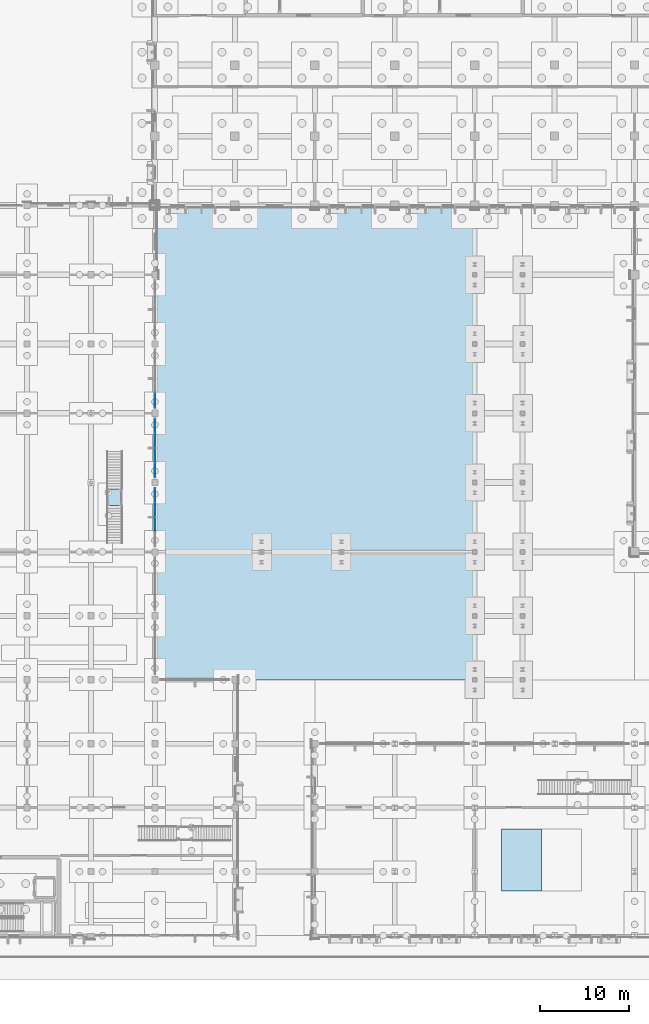
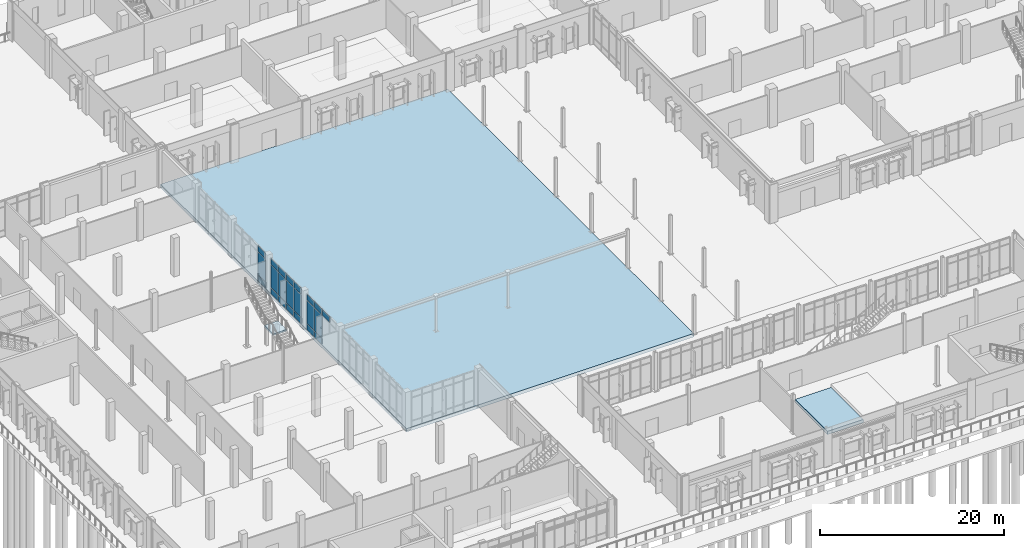
# One storey, part 51 of 94: 22 plates, 3 slabs, 6 elements without a shape of their own.
"""IFC4 building model written with IfcOpenShell, lengths in metres."""

import ifcopenshell
import ifcopenshell.guid

model = None  # the IFC model being written
_history = None  # IfcOwnerHistory: only IFC2X3 demands one
_inside = {}  # id of a spatial element -> (the spatial element, [elements in it])
_under = {}  # id of a project, library or spatial element -> (it, [spatial elements below it])
_declared = {}  # id of a project -> (the project, [libraries it declares])
_typed = {}  # id of a type object -> (the type object, [elements of that type])
_made_of = {}  # id of a material, layer set ... -> (it, [elements and type objects made of it])


def new_model(schema):
    """Start an empty IFC model of exactly this schema.

    Asked for "IFC4X3", IfcOpenShell would pick the latest addendum, in which some entities
    have other attributes; the version numbers below select the first issue.
    IFC2X3 requires an IfcOwnerHistory on every rooted entity: one is made here for all.
    """
    global model, _history
    if schema == "IFC4X3":
        model = ifcopenshell.file(schema_version=(4, 3, 0, 0))
    else:
        model = ifcopenshell.file(schema=schema)
    _inside.clear()
    _under.clear()
    _declared.clear()
    _typed.clear()
    _made_of.clear()
    _history = None
    if model.schema == "IFC2X3":
        org = make("IfcOrganization", Name="unknown")
        user = make(
            "IfcPersonAndOrganization",
            ThePerson=make("IfcPerson", FamilyName="unknown"),
            TheOrganization=org,
        )
        app = make(
            "IfcApplication",
            ApplicationDeveloper=org,
            Version="unknown",
            ApplicationFullName="unknown",
            ApplicationIdentifier="unknown",
        )
        _history = make(
            "IfcOwnerHistory",
            OwningUser=user,
            OwningApplication=app,
            ChangeAction="ADDED",
            CreationDate=0,
        )
    return model


def make(cls, **values):
    """One entity of the class cls with the attributes given. An attribute that is None is left unset."""
    return model.create_entity(
        cls, **{name: value for name, value in values.items() if value is not None}
    )


def rooted(cls, **values):
    """An entity with a GlobalId (a new one), such as an element, a storey or a relation."""
    return make(cls, GlobalId=ifcopenshell.guid.new(), OwnerHistory=_history, **values)


def si_unit(unit_type, name, prefix=None):
    """IfcSIUnit, for example si_unit("LENGTHUNIT", "METRE", prefix="MILLI")."""
    return make("IfcSIUnit", UnitType=unit_type, Prefix=prefix, Name=name)


def assignment(units):
    """IfcUnitAssignment: the units of a project."""
    return None if units is None else make("IfcUnitAssignment", Units=units)


def point(xyz):
    """IfcCartesianPoint."""
    return None if xyz is None else make("IfcCartesianPoint", Coordinates=xyz)


def direction(xyz):
    """IfcDirection."""
    return None if xyz is None else make("IfcDirection", DirectionRatios=xyz)


def frame(location, z_axis=None, x_axis=None):
    """IfcAxis2Placement3D, a coordinate frame: its origin and axes. An axis left out is left unset."""
    return make(
        "IfcAxis2Placement3D",
        Location=point(location),
        Axis=direction(z_axis),
        RefDirection=direction(x_axis),
    )


def frame_2d(location, x_axis=None):
    """IfcAxis2Placement2D, a coordinate frame in the plane: its origin and x axis."""
    return make(
        "IfcAxis2Placement2D", Location=point(location), RefDirection=direction(x_axis)
    )


def origin():
    """The frame at (0, 0, 0) with its axes left unset."""
    return frame((0.0, 0.0, 0.0))


def origin_2d():
    """The frame at (0, 0) in the plane with its x axis left unset."""
    return frame_2d((0.0, 0.0))


def place(relative_to, where):
    """IfcLocalPlacement: puts the frame where relative to a parent placement (None: the world)."""
    return make(
        "IfcLocalPlacement", PlacementRelTo=relative_to, RelativePlacement=where
    )


def context(
    kind, dimensions, precision=None, world=None, true_north=None, identifier=None
):
    """IfcGeometricRepresentationContext, for example the 3D "Model" context."""
    return make(
        "IfcGeometricRepresentationContext",
        ContextIdentifier=identifier,
        ContextType=kind,
        CoordinateSpaceDimension=dimensions,
        Precision=precision,
        WorldCoordinateSystem=world,
        TrueNorth=true_north,
    )


def subcontext(parent, identifier, kind, view, scale=None):
    """IfcGeometricRepresentationSubContext, for example "Body" below "Model"."""
    return make(
        "IfcGeometricRepresentationSubContext",
        ContextIdentifier=identifier,
        ContextType=kind,
        ParentContext=parent,
        TargetScale=scale,
        TargetView=view,
    )


def project(units=None, contexts=None):
    """IfcProject with its units and contexts."""
    return rooted(
        "IfcProject",
        Name="project",
        RepresentationContexts=contexts,
        UnitsInContext=assignment(units),
    )


def spatial(cls, under=None, at=None, **own):
    """A site, building, storey or space (cls), placed at a placement, below another one or the project."""
    s = rooted(cls, ObjectPlacement=at, **own)
    if under is not None:
        _under.setdefault(under.id(), (under, []))[1].append(s)
    return s


def polyline(points):
    """IfcPolyline through the points."""
    return make("IfcPolyline", Points=[point(p) for p in points])


def profile(cls, at=None, kind="AREA", **sizes):
    """A parametric profile (cls). Its sizes go by their IFC names, for example OverallWidth=200.0."""
    return make(cls, ProfileType=kind, Position=at, **sizes)


def rectangle(**sizes):
    """IfcRectangleProfileDef."""
    return profile("IfcRectangleProfileDef", **sizes)


def outline(outer, holes=None, kind="AREA"):
    """IfcArbitraryClosedProfileDef: a profile drawn as a closed curve; with holes, ...WithVoids."""
    if holes is None:
        return make("IfcArbitraryClosedProfileDef", ProfileType=kind, OuterCurve=outer)
    return make(
        "IfcArbitraryProfileDefWithVoids",
        ProfileType=kind,
        OuterCurve=outer,
        InnerCurves=holes,
    )


def extrude(swept, where, along, depth):
    """IfcExtrudedAreaSolid: the profile swept, set in the frame where, extruded along a direction by depth."""
    return make(
        "IfcExtrudedAreaSolid",
        SweptArea=swept,
        Position=where,
        ExtrudedDirection=direction(along),
        Depth=depth,
    )


def shape(context_of_items, identifier, shape_type, items):
    """IfcShapeRepresentation: the items that make up one representation, for example the "Body"."""
    return make(
        "IfcShapeRepresentation",
        ContextOfItems=context_of_items,
        RepresentationIdentifier=identifier,
        RepresentationType=shape_type,
        Items=items,
    )


def material(Name=None, Category=None):
    """IfcMaterial."""
    return make("IfcMaterial", Name=Name, Category=Category)


def layer(
    of_material, thickness, ventilated=None, Name=None, Category=None, Priority=None
):
    """IfcMaterialLayer: one layer of a wall or slab, of a material (None: an air gap)."""
    return make(
        "IfcMaterialLayer",
        Material=of_material,
        LayerThickness=thickness,
        IsVentilated=ventilated,
        Name=Name,
        Category=Category,
        Priority=Priority,
    )


def layer_set(layers, Name=None):
    """IfcMaterialLayerSet."""
    return make("IfcMaterialLayerSet", MaterialLayers=layers, LayerSetName=Name)


def made_of(thing, what):
    """Note that an element or type object is made of a material, layer set ...; save() writes the relation."""
    if what is not None:
        _made_of.setdefault(what.id(), (what, []))[1].append(thing)
    return thing


def type_object(cls, material=None, **own):
    """A type object (cls), such as IfcWallType, which elements share."""
    return made_of(rooted(cls, **own), material)


def element(
    cls,
    number,
    at=None,
    inside=None,
    cuts=None,
    type_object=None,
    material=None,
    context=None,
    identifier="Body",
    shape_type=None,
    held_by="IfcProductDefinitionShape",
    body=None,
    shapes=None,
    **own,
):
    """One element of the class cls, such as IfcWall. Its Tag is "e" and its number.

    at: its placement. inside: the storey or other place that contains it. cuts: it is an
    opening in that element (IfcRelVoidsElement). A single representation is given by context,
    identifier, shape_type and body (its items); several are given by shapes. held_by: the class
    of the entity that holds the representations. save() writes the other relations.
    """
    e = rooted(cls, Tag="e%d" % number, ObjectPlacement=at, **own)
    if body is not None:
        shapes = [shape(context, identifier, shape_type, body)]
    if shapes is not None:
        e.Representation = make(held_by, Representations=shapes)
    if inside is not None:
        _inside.setdefault(inside.id(), (inside, []))[1].append(e)
    if cuts is not None:
        rooted(
            "IfcRelVoidsElement", RelatingBuildingElement=cuts, RelatedOpeningElement=e
        )
    if type_object is not None:
        _typed.setdefault(type_object.id(), (type_object, []))[1].append(e)
    return made_of(e, material)


def aggregate(whole, parts):
    """IfcRelAggregates: a whole, such as a stair, and the parts it consists of."""
    return rooted("IfcRelAggregates", RelatingObject=whole, RelatedObjects=parts)


def save(model, path):
    """Write the relations noted so far, then the file.

    IfcRelAggregates (storeys below a building ...), IfcRelContainedInSpatialStructure (elements
    in a storey), IfcRelDefinesByType, IfcRelAssociatesMaterial and IfcRelDeclares: one each for
    every whole, place, type object, material and project.
    """
    for whole, parts in _under.values():
        aggregate(whole, parts)
    for where, things in _inside.values():
        rooted(
            "IfcRelContainedInSpatialStructure",
            RelatedElements=things,
            RelatingStructure=where,
        )
    for kind, things in _typed.values():
        rooted("IfcRelDefinesByType", RelatedObjects=things, RelatingType=kind)
    for what, things in _made_of.values():
        rooted("IfcRelAssociatesMaterial", RelatedObjects=things, RelatingMaterial=what)
    for by, libraries in _declared.values():
        rooted("IfcRelDeclares", RelatingContext=by, RelatedDefinitions=libraries)
    model.write(path)


model = new_model("IFC4")

# Units and contexts
model_context = context("Model", 3, precision=1e-05, world=origin(), true_north=direction((0.0, 1.0)))
body_context = subcontext(model_context, "Body", "Model", "MODEL_VIEW")
ifc_project = project(units=[si_unit("LENGTHUNIT", "METRE"), si_unit("AREAUNIT", "SQUARE_METRE"), si_unit("VOLUMEUNIT", "CUBIC_METRE"), si_unit("PLANEANGLEUNIT", "RADIAN"), si_unit("MASSUNIT", "GRAM", prefix="KILO")], contexts=[model_context])

# Site, building, storey
site_placement = place(None, origin())
site = spatial("IfcSite", under=ifc_project, at=site_placement, CompositionType="ELEMENT")
building_placement = place(site_placement, origin())
building = spatial("IfcBuilding", under=site, at=building_placement, Name="Vervanel Yard Central Library", CompositionType="ELEMENT")
storey_placement = place(building_placement, origin())
storey = spatial("IfcBuildingStorey", under=building, at=storey_placement, Name="L00", CompositionType="ELEMENT", Elevation=0.0)

# Curtain wall, plate
ifc_material_1 = material(Name="Thermally broken anodized aluminium 6063-T6", Category="aluminium")
curtain_wall_type = type_object("IfcCurtainWallType", Name="Atrium Courtyard Curtain Wall", PredefinedType="NOTDEFINED", material=ifc_material_1)
curtain_wall_1_placement = place(storey_placement, origin())
curtain_wall_1 = element("IfcCurtainWall", 1, at=curtain_wall_1_placement, inside=storey, type_object=curtain_wall_type, Name="L00 Atrium Courtyard Curtain Wall CWR-L00-019", PredefinedType="NOTDEFINED")
ifc_material_2 = material(Name="Double low-E laminated solar-control glass", Category="glass")
ifc_layer_1 = layer(ifc_material_2, 0.030029296875, Category="glass")
ifc_layer_set_1 = layer_set([ifc_layer_1], Name="Double low-E laminated solar-control glass")
plate_type_1 = type_object("IfcPlateType", Name="Courtyard Clear Low-E Panel 30", PredefinedType="CURTAIN_PANEL", material=ifc_layer_set_1)
plate_1_placement = place(storey_placement, frame((36.0, 46.248779296875, 3.962646484375), z_axis=(0.0, 0.0, 1.0), x_axis=(0.0, 1.0, 0.0)))
plate_1 = element("IfcPlate", 2, at=plate_1_placement, type_object=plate_type_1, Name="CWR-L00-019 Panel B2-3", PredefinedType="CURTAIN_PANEL", context=body_context, shape_type="SweptSolid", body=[
    extrude(rectangle(XDim=1.572509765625, YDim=0.030029296875, at=origin_2d()), origin(), (0.0, 0.0, 1.0), 0.75244140625),
])
aggregate(curtain_wall_1, [plate_1])

# Curtain wall, plates
curtain_wall_2_placement = place(storey_placement, origin())
curtain_wall_2 = element("IfcCurtainWall", 3, at=curtain_wall_2_placement, inside=storey, type_object=curtain_wall_type, Name="L00 Atrium Courtyard Curtain Wall CWR-L00-020", PredefinedType="NOTDEFINED")
plate_2_placement = place(storey_placement, frame((36.0, 47.951171875, 0.88232421875), z_axis=(0.0, 0.0, 1.0), x_axis=(0.0, 1.0, 0.0)))
plate_2 = element("IfcPlate", 4, at=plate_2_placement, type_object=plate_type_1, Name="CWR-L00-020 Panel B1-2", PredefinedType="CURTAIN_PANEL", context=body_context, shape_type="SweptSolid", body=[
    extrude(rectangle(XDim=1.572509765625, YDim=0.030029296875, at=origin_2d()), origin(), (0.0, 0.0, 1.0), 3.014892578125),
])
plate_3_placement = place(storey_placement, frame((36.0, 47.951171875, 3.962646484375), z_axis=(0.0, 0.0, 1.0), x_axis=(0.0, 1.0, 0.0)))
plate_3 = element("IfcPlate", 5, at=plate_3_placement, type_object=plate_type_1, Name="CWR-L00-020 Panel B1-3", PredefinedType="CURTAIN_PANEL", context=body_context, shape_type="SweptSolid", body=[
    extrude(rectangle(XDim=1.572509765625, YDim=0.030029296875, at=origin_2d()), origin(), (0.0, 0.0, 1.0), 0.75244140625),
])
plate_4_placement = place(storey_placement, frame((36.0, 49.5888671875, 0.88232421875), z_axis=(0.0, 0.0, 1.0), x_axis=(0.0, 1.0, 0.0)))
plate_4 = element("IfcPlate", 6, at=plate_4_placement, type_object=plate_type_1, Name="CWR-L00-020 Panel B2-2", PredefinedType="CURTAIN_PANEL", context=body_context, shape_type="SweptSolid", body=[
    extrude(rectangle(XDim=1.572509765625, YDim=0.030029296875, at=origin_2d()), origin(), (0.0, 0.0, 1.0), 3.014892578125),
])
plate_5_placement = place(storey_placement, frame((36.0, 49.5888671875, 3.962646484375), z_axis=(0.0, 0.0, 1.0), x_axis=(0.0, 1.0, 0.0)))
plate_5 = element("IfcPlate", 7, at=plate_5_placement, type_object=plate_type_1, Name="CWR-L00-020 Panel B2-3", PredefinedType="CURTAIN_PANEL", context=body_context, shape_type="SweptSolid", body=[
    extrude(rectangle(XDim=1.572509765625, YDim=0.030029296875, at=origin_2d()), origin(), (0.0, 0.0, 1.0), 0.75244140625),
])

curtain_wall_3_placement = place(storey_placement, origin())
curtain_wall_3 = element("IfcCurtainWall", 8, at=curtain_wall_3_placement, inside=storey, type_object=curtain_wall_type, Name="L00 Atrium Courtyard Curtain Wall CWR-L00-021", PredefinedType="NOTDEFINED")
plate_6_placement = place(storey_placement, frame((36.0, 52.4111328125, 0.88232421875), z_axis=(0.0, 0.0, 1.0), x_axis=(0.0, 1.0, 0.0)))
plate_6 = element("IfcPlate", 9, at=plate_6_placement, type_object=plate_type_1, Name="CWR-L00-021 Panel B1-2", PredefinedType="CURTAIN_PANEL", context=body_context, shape_type="SweptSolid", body=[
    extrude(rectangle(XDim=1.572509765625, YDim=0.030029296875, at=origin_2d()), origin(), (0.0, 0.0, 1.0), 3.014892578125),
])
plate_7_placement = place(storey_placement, frame((36.0, 52.4111328125, 3.962646484375), z_axis=(0.0, 0.0, 1.0), x_axis=(0.0, 1.0, 0.0)))
plate_7 = element("IfcPlate", 10, at=plate_7_placement, type_object=plate_type_1, Name="CWR-L00-021 Panel B1-3", PredefinedType="CURTAIN_PANEL", context=body_context, shape_type="SweptSolid", body=[
    extrude(rectangle(XDim=1.572509765625, YDim=0.030029296875, at=origin_2d()), origin(), (0.0, 0.0, 1.0), 0.75244140625),
])
plate_8_placement = place(storey_placement, frame((36.0, 54.048828125, 0.88232421875), z_axis=(0.0, 0.0, 1.0), x_axis=(0.0, 1.0, 0.0)))
plate_8 = element("IfcPlate", 11, at=plate_8_placement, type_object=plate_type_1, Name="CWR-L00-021 Panel B2-2", PredefinedType="CURTAIN_PANEL", context=body_context, shape_type="SweptSolid", body=[
    extrude(rectangle(XDim=1.572509765625, YDim=0.030029296875, at=origin_2d()), origin(), (0.0, 0.0, 1.0), 3.014892578125),
])
plate_9_placement = place(storey_placement, frame((36.0, 54.048828125, 3.962646484375), z_axis=(0.0, 0.0, 1.0), x_axis=(0.0, 1.0, 0.0)))
plate_9 = element("IfcPlate", 12, at=plate_9_placement, type_object=plate_type_1, Name="CWR-L00-021 Panel B2-3", PredefinedType="CURTAIN_PANEL", context=body_context, shape_type="SweptSolid", body=[
    extrude(rectangle(XDim=1.572509765625, YDim=0.030029296875, at=origin_2d()), origin(), (0.0, 0.0, 1.0), 0.75244140625),
])

curtain_wall_4_placement = place(storey_placement, origin())
curtain_wall_4 = element("IfcCurtainWall", 13, at=curtain_wall_4_placement, inside=storey, type_object=curtain_wall_type, Name="L00 Atrium Courtyard Curtain Wall CWR-L00-022", PredefinedType="NOTDEFINED")
plate_10_placement = place(storey_placement, frame((36.0, 55.751220703125, 0.88232421875), z_axis=(0.0, 0.0, 1.0), x_axis=(0.0, 1.0, 0.0)))
plate_10 = element("IfcPlate", 14, at=plate_10_placement, type_object=plate_type_1, Name="CWR-L00-022 Panel B1-2", PredefinedType="CURTAIN_PANEL", context=body_context, shape_type="SweptSolid", body=[
    extrude(rectangle(XDim=1.572509765625, YDim=0.030029296875, at=origin_2d()), origin(), (0.0, 0.0, 1.0), 3.014892578125),
])
plate_11_placement = place(storey_placement, frame((36.0, 55.751220703125, 3.962646484375), z_axis=(0.0, 0.0, 1.0), x_axis=(0.0, 1.0, 0.0)))
plate_11 = element("IfcPlate", 15, at=plate_11_placement, type_object=plate_type_1, Name="CWR-L00-022 Panel B1-3", PredefinedType="CURTAIN_PANEL", context=body_context, shape_type="SweptSolid", body=[
    extrude(rectangle(XDim=1.572509765625, YDim=0.030029296875, at=origin_2d()), origin(), (0.0, 0.0, 1.0), 0.75244140625),
])
plate_12_placement = place(storey_placement, frame((36.0, 57.388671875, 0.88232421875), z_axis=(0.0, 0.0, 1.0), x_axis=(0.0, 1.0, 0.0)))
plate_12 = element("IfcPlate", 16, at=plate_12_placement, type_object=plate_type_1, Name="CWR-L00-022 Panel B2-2", PredefinedType="CURTAIN_PANEL", context=body_context, shape_type="SweptSolid", body=[
    extrude(rectangle(XDim=1.572509765625, YDim=0.030029296875, at=origin_2d()), origin(), (0.0, 0.0, 1.0), 3.014892578125),
])
plate_13_placement = place(storey_placement, frame((36.0, 57.388671875, 3.962646484375), z_axis=(0.0, 0.0, 1.0), x_axis=(0.0, 1.0, 0.0)))
plate_13 = element("IfcPlate", 17, at=plate_13_placement, type_object=plate_type_1, Name="CWR-L00-022 Panel B2-3", PredefinedType="CURTAIN_PANEL", context=body_context, shape_type="SweptSolid", body=[
    extrude(rectangle(XDim=1.572509765625, YDim=0.030029296875, at=origin_2d()), origin(), (0.0, 0.0, 1.0), 0.75244140625),
])

curtain_wall_5_placement = place(storey_placement, origin())
curtain_wall_5 = element("IfcCurtainWall", 18, at=curtain_wall_5_placement, inside=storey, type_object=curtain_wall_type, Name="L00 Atrium Courtyard Curtain Wall CWR-L00-023", PredefinedType="NOTDEFINED")
plate_14_placement = place(storey_placement, frame((36.0, 60.211181640625, 0.88232421875), z_axis=(0.0, 0.0, 1.0), x_axis=(0.0, 1.0, 0.0)))
plate_14 = element("IfcPlate", 19, at=plate_14_placement, type_object=plate_type_1, Name="CWR-L00-023 Panel B1-2", PredefinedType="CURTAIN_PANEL", context=body_context, shape_type="SweptSolid", body=[
    extrude(rectangle(XDim=1.572509765625, YDim=0.030029296875, at=origin_2d()), origin(), (0.0, 0.0, 1.0), 3.014892578125),
])
plate_15_placement = place(storey_placement, frame((36.0, 60.211181640625, 3.962646484375), z_axis=(0.0, 0.0, 1.0), x_axis=(0.0, 1.0, 0.0)))
plate_15 = element("IfcPlate", 20, at=plate_15_placement, type_object=plate_type_1, Name="CWR-L00-023 Panel B1-3", PredefinedType="CURTAIN_PANEL", context=body_context, shape_type="SweptSolid", body=[
    extrude(rectangle(XDim=1.572509765625, YDim=0.030029296875, at=origin_2d()), origin(), (0.0, 0.0, 1.0), 0.75244140625),
])

# Stair, slab
ifc_material_3 = material(Name="Concrete C45/55", Category="concrete")
stair_type = type_object("IfcStairType", Name="Architectural Feature Straight Stair FS-ST-05", PredefinedType="STRAIGHT_RUN_STAIR", material=ifc_material_3)
stair_placement = place(storey_placement, origin())
stair = element("IfcStair", 21, at=stair_placement, inside=storey, type_object=stair_type, Name="L00 Feature Stair FS-ST-05", PredefinedType="STRAIGHT_RUN_STAIR")
ifc_layer_2 = layer(ifc_material_3, 0.219970703125, Category="concrete")
ifc_layer_set_2 = layer_set([ifc_layer_2], Name="Concrete C45/55")
slab_type_1 = type_object("IfcSlabType", Name="Feature Stair Concrete Landing Slab 220", PredefinedType="LANDING", material=ifc_layer_set_2)
slab_1_placement = place(storey_placement, frame((0.0, 0.0, 2.330078125)))
slab_1 = element("IfcSlab", 22, at=slab_1_placement, type_object=slab_type_1, Name="FST-05-L00 Mid Landing 1", PredefinedType="LANDING", context=body_context, shape_type="SweptSolid", body=[
    extrude(outline(polyline([(30.590087890625, 48.39990234375), (32.31005859375, 48.39990234375), (32.31005859375, 50.300048828125), (30.590087890625, 50.300048828125), (30.590087890625, 48.39990234375)])), origin(), (0.0, 0.0, 1.0), 0.219970703125),
])
aggregate(stair, [slab_1])

# Plate
ifc_material_4 = material(Name="Insulated bronze aluminium spandrel panel", Category="aluminium")
ifc_layer_3 = layer(ifc_material_4, 0.080078125, Category="aluminium")
ifc_layer_set_3 = layer_set([ifc_layer_3], Name="Insulated bronze aluminium spandrel panel")
plate_type_2 = type_object("IfcPlateType", Name="Insulated Bronze Spandrel Panel 80", PredefinedType="CURTAIN_PANEL", material=ifc_layer_set_3)
plate_16_placement = place(storey_placement, frame((36.0, 47.951171875, 0.06494140625), z_axis=(0.0, 0.0, 1.0), x_axis=(0.0, 1.0, 0.0)))
plate_16 = element("IfcPlate", 23, at=plate_16_placement, type_object=plate_type_2, Name="CWR-L00-020 Panel B1-1", PredefinedType="CURTAIN_PANEL", context=body_context, shape_type="SweptSolid", body=[
    extrude(rectangle(XDim=1.572509765625, YDim=0.080078125, at=origin_2d()), origin(), (0.0, 0.0, 1.0), 0.75244140625),
])

plate_17_placement = place(storey_placement, frame((36.0, 49.5888671875, 0.06494140625), z_axis=(0.0, 0.0, 1.0), x_axis=(0.0, 1.0, 0.0)))
plate_17 = element("IfcPlate", 24, at=plate_17_placement, type_object=plate_type_2, Name="CWR-L00-020 Panel B2-1", PredefinedType="CURTAIN_PANEL", context=body_context, shape_type="SweptSolid", body=[
    extrude(rectangle(XDim=1.572509765625, YDim=0.080078125, at=origin_2d()), origin(), (0.0, 0.0, 1.0), 0.75244140625),
])

aggregate(curtain_wall_2, [plate_16, plate_2, plate_3, plate_17, plate_4, plate_5])

plate_18_placement = place(storey_placement, frame((36.0, 52.4111328125, 0.06494140625), z_axis=(0.0, 0.0, 1.0), x_axis=(0.0, 1.0, 0.0)))
plate_18 = element("IfcPlate", 25, at=plate_18_placement, type_object=plate_type_2, Name="CWR-L00-021 Panel B1-1", PredefinedType="CURTAIN_PANEL", context=body_context, shape_type="SweptSolid", body=[
    extrude(rectangle(XDim=1.572509765625, YDim=0.080078125, at=origin_2d()), origin(), (0.0, 0.0, 1.0), 0.75244140625),
])

plate_19_placement = place(storey_placement, frame((36.0, 54.048828125, 0.06494140625), z_axis=(0.0, 0.0, 1.0), x_axis=(0.0, 1.0, 0.0)))
plate_19 = element("IfcPlate", 26, at=plate_19_placement, type_object=plate_type_2, Name="CWR-L00-021 Panel B2-1", PredefinedType="CURTAIN_PANEL", context=body_context, shape_type="SweptSolid", body=[
    extrude(rectangle(XDim=1.572509765625, YDim=0.080078125, at=origin_2d()), origin(), (0.0, 0.0, 1.0), 0.75244140625),
])

aggregate(curtain_wall_3, [plate_18, plate_6, plate_7, plate_19, plate_8, plate_9])

plate_20_placement = place(storey_placement, frame((36.0, 55.751220703125, 0.06494140625), z_axis=(0.0, 0.0, 1.0), x_axis=(0.0, 1.0, 0.0)))
plate_20 = element("IfcPlate", 27, at=plate_20_placement, type_object=plate_type_2, Name="CWR-L00-022 Panel B1-1", PredefinedType="CURTAIN_PANEL", context=body_context, shape_type="SweptSolid", body=[
    extrude(rectangle(XDim=1.572509765625, YDim=0.080078125, at=origin_2d()), origin(), (0.0, 0.0, 1.0), 0.75244140625),
])

plate_21_placement = place(storey_placement, frame((36.0, 57.388671875, 0.06494140625), z_axis=(0.0, 0.0, 1.0), x_axis=(0.0, 1.0, 0.0)))
plate_21 = element("IfcPlate", 28, at=plate_21_placement, type_object=plate_type_2, Name="CWR-L00-022 Panel B2-1", PredefinedType="CURTAIN_PANEL", context=body_context, shape_type="SweptSolid", body=[
    extrude(rectangle(XDim=1.572509765625, YDim=0.080078125, at=origin_2d()), origin(), (0.0, 0.0, 1.0), 0.75244140625),
])

aggregate(curtain_wall_4, [plate_20, plate_10, plate_11, plate_21, plate_12, plate_13])

plate_22_placement = place(storey_placement, frame((36.0, 60.211181640625, 0.06494140625), z_axis=(0.0, 0.0, 1.0), x_axis=(0.0, 1.0, 0.0)))
plate_22 = element("IfcPlate", 29, at=plate_22_placement, type_object=plate_type_2, Name="CWR-L00-023 Panel B1-1", PredefinedType="CURTAIN_PANEL", context=body_context, shape_type="SweptSolid", body=[
    extrude(rectangle(XDim=1.572509765625, YDim=0.080078125, at=origin_2d()), origin(), (0.0, 0.0, 1.0), 0.75244140625),
])

aggregate(curtain_wall_5, [plate_22, plate_14, plate_15])

# Slabs
ifc_material_5 = material(Name="Concrete C40/50", Category="concrete")
ifc_layer_4 = layer(ifc_material_5, 0.419921875, Category="concrete")
ifc_layer_set_4 = layer_set([ifc_layer_4], Name="Concrete C40/50")
slab_type_2 = type_object("IfcSlabType", Name="Story Amphitheatre Raked Seating Tier 420", PredefinedType="USERDEFINED", material=ifc_layer_set_4)
slab_2_placement = place(storey_placement, origin())
element("IfcSlab", 30, at=slab_2_placement, inside=storey, type_object=slab_type_2, Name="L00 Raked Seating Tier TIER-V5-L00-1", ObjectType="SEATING TIER", PredefinedType="USERDEFINED", context=body_context, shape_type="SweptSolid", body=[
    extrude(outline(polyline([(75.0, 5.0), (79.5, 5.0), (79.5, 12.0), (75.0, 12.0), (75.0, 5.0)])), origin(), (0.0, 0.0, 1.0), 0.419921875),
])
ifc_layer_5 = layer(ifc_material_5, 0.449951171875, Category="concrete")
ifc_layer_set_5 = layer_set([ifc_layer_5], Name="Concrete C40/50")
slab_type_3 = type_object("IfcSlabType", Name="Switchyard Plinth Deck Slab 450", PredefinedType="FLOOR", material=ifc_layer_set_5)
slab_3_placement = place(storey_placement, frame((0.0, 0.0, -0.449951171875)))
element("IfcSlab", 31, at=slab_3_placement, inside=storey, type_object=slab_type_3, Name="Switchyard Reading Court West Deck", PredefinedType="FLOOR", context=body_context, shape_type="SweptSolid", body=[
    extrude(outline(polyline([(36.0, 28.800048828125), (72.0, 28.800048828125), (72.0, 82.199951171875), (36.0, 82.199951171875), (36.0, 28.800048828125)])), origin(), (0.0, 0.0, 1.0), 0.449951171875),
])

save(model, "model.ifc")
